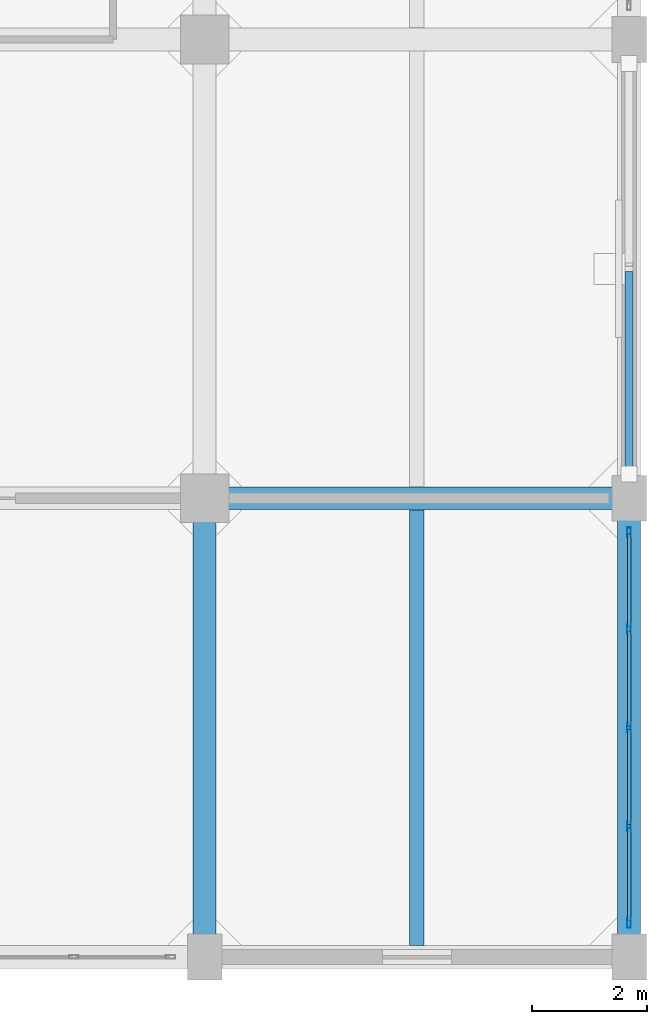
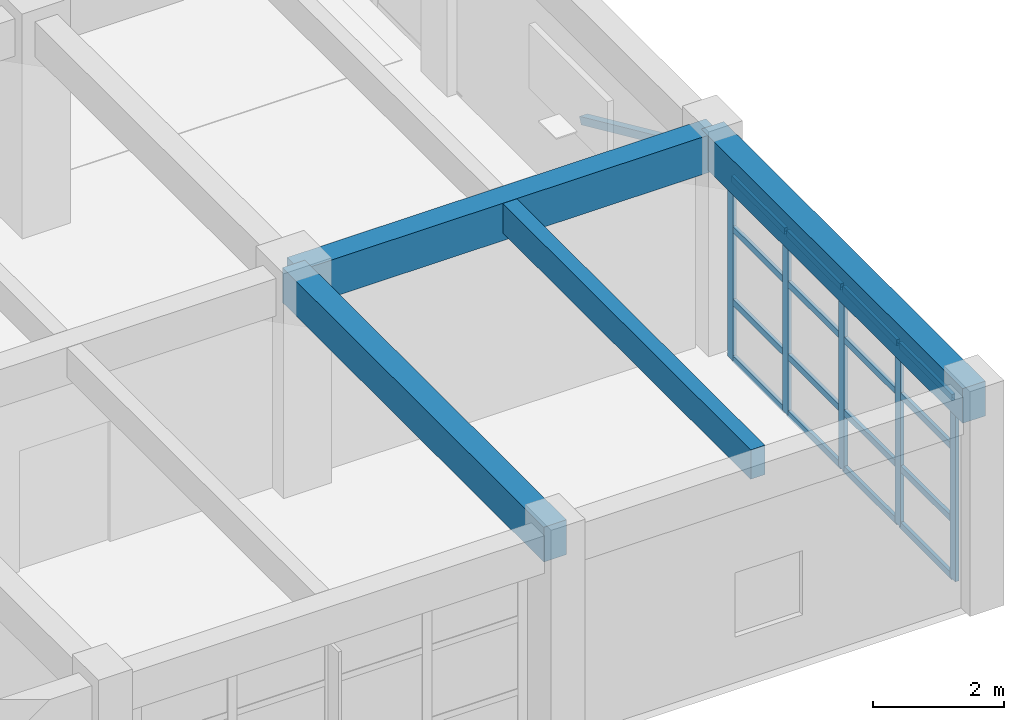
# One storey, part 9 of 27: 22 members, 4 beams, 1 element without a shape of its own.
"""IFC4 building model written with IfcOpenShell, lengths in metres."""

from ifc_helpers import new_model, si_unit, direction, frame, origin, origin_2d, place, context, subcontext, project, spatial, rectangle, hollow_rectangle, extrude, material, layer, layer_set, material_profile, profile_set, type_object, element, aggregate, save


model = new_model("IFC4")

# Units and contexts
model_context = context("Model", 3, precision=1e-05, world=origin(), true_north=direction((0.0, 1.0)))
body_context = subcontext(model_context, "Body", "Model", "MODEL_VIEW")
ifc_project = project(units=[si_unit("LENGTHUNIT", "METRE"), si_unit("AREAUNIT", "SQUARE_METRE"), si_unit("VOLUMEUNIT", "CUBIC_METRE"), si_unit("PLANEANGLEUNIT", "RADIAN"), si_unit("MASSUNIT", "GRAM", prefix="KILO")], contexts=[model_context])

# Site, building, storey
site_placement = place(None, origin())
site = spatial("IfcSite", under=ifc_project, at=site_placement, CompositionType="ELEMENT")
building_placement = place(site_placement, origin())
building = spatial("IfcBuilding", under=site, at=building_placement, Name="Canggui Botanical Conservatory", CompositionType="ELEMENT")
storey_placement = place(building_placement, frame((0.0, 0.0, 31.800048828125)))
storey = spatial("IfcBuildingStorey", under=building, at=storey_placement, Name="L08", CompositionType="ELEMENT", Elevation=31.800048828125)

# Beams
ifc_material_1 = material(Name="Concrete C35", Category="concrete")
ifc_material_profile_1 = material_profile(ifc_material_1, rectangle(XDim=0.25, YDim=0.550048828125, at=origin_2d()), Name="RB 250x550")
ifc_profile_set_1 = profile_set([ifc_material_profile_1], Name="Concrete C35")
beam_type_1 = type_object("IfcBeamType", Name="BM-JST03", PredefinedType="JOIST", material=ifc_profile_set_1)
beam_1_placement = place(storey_placement, frame((173.699951171875, 34.205078125, 3.704833984375), z_axis=(0.0, 1.0, 0.0), x_axis=(-1.0, 0.0, 0.0)))
element("IfcBeam", 1, at=beam_1_placement, inside=storey, type_object=beam_type_1, Name="Secondary Floor Joist L08-5-1", PredefinedType="JOIST", context=body_context, shape_type="SweptSolid", body=[
    extrude(rectangle(XDim=0.25, YDim=0.550048828125, at=origin_2d()), origin(), (0.0, 0.0, 1.0), 7.58984375),
])
ifc_material_profile_2 = material_profile(ifc_material_1, rectangle(XDim=0.39990234375, YDim=0.699951171875, at=origin_2d()), Name="RB 400x700")
ifc_profile_set_2 = profile_set([ifc_material_profile_2], Name="Concrete C35")
beam_type_2 = type_object("IfcBeamType", Name="BM-KL11", PredefinedType="BEAM", material=ifc_profile_set_2)
beam_2_placement = place(storey_placement, frame((170.0, 42.0, 3.6298828125), z_axis=(1.0, 0.0, 0.0), x_axis=(0.0, 1.0, 0.0)))
element("IfcBeam", 2, at=beam_2_placement, inside=storey, type_object=beam_type_2, Name="Frame Girder L08 Y42-5", PredefinedType="BEAM", context=body_context, shape_type="SweptSolid", body=[
    extrude(rectangle(XDim=0.39990234375, YDim=0.699951171875, at=origin_2d()), origin(), (0.0, 0.0, 1.0), 7.39990234375),
])
ifc_material_profile_3 = material_profile(ifc_material_1, rectangle(XDim=0.39990234375, YDim=0.64990234375, at=origin_2d()), Name="RB 400x650")
ifc_profile_set_3 = profile_set([ifc_material_profile_3], Name="Concrete C35")
beam_type_3 = type_object("IfcBeamType", Name="BM-KL12", PredefinedType="BEAM", material=ifc_profile_set_3)
for number, where, z_axis, x_axis, name in (
    (3, (170.0, 34.0, 3.655029296875), (0.0, 1.0, 0.0), (-1.0, 0.0, 0.0), "Frame Girder L08 X170-1"),
    (4, (177.39990234375, 34.0, 3.655029296875), (0.0, 1.0, 0.0), (-1.0, 0.0, 0.0), "Frame Girder L08 X178-1"),
):
    element("IfcBeam", number, at=place(storey_placement, frame(where, z_axis=z_axis, x_axis=x_axis)), inside=storey, type_object=beam_type_3, Name=name, PredefinedType="BEAM", context=body_context, shape_type="SweptSolid", body=[
        extrude(rectangle(XDim=0.39990234375, YDim=0.64990234375, at=origin_2d()), origin(), (0.0, 0.0, 1.0), 8.0),
    ])

# Curtain wall, members
ifc_material_2 = material(Name="Thermally Broken Aluminium", Category="aluminium")
ifc_layer = layer(ifc_material_2, 0.1650390625, Name="Thermally Broken Aluminium", Category="aluminium")
ifc_layer_set = layer_set([ifc_layer], Name="Thermally Broken Aluminium")
curtain_wall_type = type_object("IfcCurtainWallType", Name="CW-UNIT-B", PredefinedType="USERDEFINED", material=ifc_layer_set)
curtain_wall_placement = place(storey_placement, origin())
curtain_wall = element("IfcCurtainWall", 5, at=curtain_wall_placement, inside=storey, type_object=curtain_wall_type, Name="Facade Curtain Wall CW-TWR-L08-20", ObjectType="UNITISED CURTAIN WALL", PredefinedType="USERDEFINED")
ifc_material_profile_4 = material_profile(ifc_material_2, hollow_rectangle(XDim=0.06494140625, YDim=0.1650390625, WallThickness=0.00390625, at=origin_2d()), Name="CWM 65x165x4")
ifc_profile_set_4 = profile_set([ifc_material_profile_4], Name="Thermally Broken Aluminium")
member_type_1 = type_object("IfcMemberType", Name="CWM-02", PredefinedType="MULLION", material=ifc_profile_set_4)
member_1_placement = place(storey_placement, frame((177.39990234375, 41.407470703125, 0.0), z_axis=(0.0, 0.0, 1.0), x_axis=(1.0, 0.0, 0.0)))
member_1 = element("IfcMember", 6, at=member_1_placement, type_object=member_type_1, Name="CW-02 mullion 1", PredefinedType="MULLION", context=body_context, shape_type="SweptSolid", body=[
    extrude(hollow_rectangle(XDim=0.06494140625, YDim=0.1650390625, WallThickness=0.00390625, at=origin_2d()), origin(), (0.0, 0.0, 1.0), 3.39990234375),
])
member_2_placement = place(storey_placement, frame((177.39990234375, 39.719970703125, 0.0), z_axis=(0.0, 0.0, 1.0), x_axis=(1.0, 0.0, 0.0)))
member_2 = element("IfcMember", 7, at=member_2_placement, type_object=member_type_1, Name="CW-02 mullion 2", PredefinedType="MULLION", context=body_context, shape_type="SweptSolid", body=[
    extrude(hollow_rectangle(XDim=0.06494140625, YDim=0.1650390625, WallThickness=0.00390625, at=origin_2d()), origin(), (0.0, 0.0, 1.0), 3.39990234375),
])
member_3_placement = place(storey_placement, frame((177.39990234375, 38.0, 0.0), z_axis=(0.0, 0.0, 1.0), x_axis=(1.0, 0.0, 0.0)))
member_3 = element("IfcMember", 8, at=member_3_placement, type_object=member_type_1, Name="CW-02 mullion 3", PredefinedType="MULLION", context=body_context, shape_type="SweptSolid", body=[
    extrude(hollow_rectangle(XDim=0.06494140625, YDim=0.1650390625, WallThickness=0.00390625, at=origin_2d()), origin(), (0.0, 0.0, 1.0), 3.39990234375),
])
member_4_placement = place(storey_placement, frame((177.39990234375, 36.280029296875, 0.0), z_axis=(0.0, 0.0, 1.0), x_axis=(1.0, 0.0, 0.0)))
member_4 = element("IfcMember", 9, at=member_4_placement, type_object=member_type_1, Name="CW-02 mullion 4", PredefinedType="MULLION", context=body_context, shape_type="SweptSolid", body=[
    extrude(hollow_rectangle(XDim=0.06494140625, YDim=0.1650390625, WallThickness=0.00390625, at=origin_2d()), origin(), (0.0, 0.0, 1.0), 3.39990234375),
])
member_5_placement = place(storey_placement, frame((177.39990234375, 34.592529296875, 0.0), z_axis=(0.0, 0.0, 1.0), x_axis=(1.0, 0.0, 0.0)))
member_5 = element("IfcMember", 10, at=member_5_placement, type_object=member_type_1, Name="CW-02 mullion 5", PredefinedType="MULLION", context=body_context, shape_type="SweptSolid", body=[
    extrude(hollow_rectangle(XDim=0.06494140625, YDim=0.1650390625, WallThickness=0.00390625, at=origin_2d()), origin(), (0.0, 0.0, 1.0), 3.39990234375),
])
ifc_material_profile_5 = material_profile(ifc_material_2, hollow_rectangle(XDim=0.06005859375, YDim=0.1201171875, WallThickness=0.00341796875, at=origin_2d()), Name="CWT 60x120x3.5")
ifc_profile_set_5 = profile_set([ifc_material_profile_5], Name="Thermally Broken Aluminium")
member_type_2 = type_object("IfcMemberType", Name="CWT-02", PredefinedType="USERDEFINED", material=ifc_profile_set_5)
member_6_placement = place(storey_placement, frame((177.39990234375, 41.375, 0.030029296875), z_axis=(0.0, -1.0, 0.0), x_axis=(1.0, 0.0, 0.0)))
member_6 = element("IfcMember", 11, at=member_6_placement, type_object=member_type_2, Name="CW-02 transom 1.1", ObjectType="TRANSOM", PredefinedType="USERDEFINED", context=body_context, shape_type="SweptSolid", body=[
    extrude(hollow_rectangle(XDim=0.06005859375, YDim=0.1201171875, WallThickness=0.00341796875, at=origin_2d()), origin(), (0.0, 0.0, 1.0), 1.62255859375),
])
member_7_placement = place(storey_placement, frame((177.39990234375, 41.375, 1.087890625), z_axis=(0.0, -1.0, 0.0), x_axis=(1.0, 0.0, 0.0)))
member_7 = element("IfcMember", 12, at=member_7_placement, type_object=member_type_2, Name="CW-02 transom 1.2", ObjectType="TRANSOM", PredefinedType="USERDEFINED", context=body_context, shape_type="SweptSolid", body=[
    extrude(hollow_rectangle(XDim=0.06005859375, YDim=0.1201171875, WallThickness=0.00341796875, at=origin_2d()), origin(), (0.0, 0.0, 1.0), 1.62255859375),
])
member_8_placement = place(storey_placement, frame((177.39990234375, 41.375, 2.447998046875), z_axis=(0.0, -1.0, 0.0), x_axis=(1.0, 0.0, 0.0)))
member_8 = element("IfcMember", 13, at=member_8_placement, type_object=member_type_2, Name="CW-02 transom 1.3", ObjectType="TRANSOM", PredefinedType="USERDEFINED", context=body_context, shape_type="SweptSolid", body=[
    extrude(hollow_rectangle(XDim=0.06005859375, YDim=0.1201171875, WallThickness=0.00341796875, at=origin_2d()), origin(), (0.0, 0.0, 1.0), 1.62255859375),
])
member_9_placement = place(storey_placement, frame((177.39990234375, 41.375, 3.369873046875), z_axis=(0.0, -1.0, 0.0), x_axis=(1.0, 0.0, 0.0)))
member_9 = element("IfcMember", 14, at=member_9_placement, type_object=member_type_2, Name="CW-02 transom 1.4", ObjectType="TRANSOM", PredefinedType="USERDEFINED", context=body_context, shape_type="SweptSolid", body=[
    extrude(hollow_rectangle(XDim=0.06005859375, YDim=0.1201171875, WallThickness=0.00341796875, at=origin_2d()), origin(), (0.0, 0.0, 1.0), 1.62255859375),
])
member_10_placement = place(storey_placement, frame((177.39990234375, 39.6875, 0.030029296875), z_axis=(0.0, -1.0, 0.0), x_axis=(1.0, 0.0, 0.0)))
member_10 = element("IfcMember", 15, at=member_10_placement, type_object=member_type_2, Name="CW-02 transom 2.1", ObjectType="TRANSOM", PredefinedType="USERDEFINED", context=body_context, shape_type="SweptSolid", body=[
    extrude(hollow_rectangle(XDim=0.06005859375, YDim=0.1201171875, WallThickness=0.00341796875, at=origin_2d()), origin(), (0.0, 0.0, 1.0), 1.655029296875),
])
member_11_placement = place(storey_placement, frame((177.39990234375, 39.6875, 1.087890625), z_axis=(0.0, -1.0, 0.0), x_axis=(1.0, 0.0, 0.0)))
member_11 = element("IfcMember", 16, at=member_11_placement, type_object=member_type_2, Name="CW-02 transom 2.2", ObjectType="TRANSOM", PredefinedType="USERDEFINED", context=body_context, shape_type="SweptSolid", body=[
    extrude(hollow_rectangle(XDim=0.06005859375, YDim=0.1201171875, WallThickness=0.00341796875, at=origin_2d()), origin(), (0.0, 0.0, 1.0), 1.655029296875),
])
member_12_placement = place(storey_placement, frame((177.39990234375, 39.6875, 2.447998046875), z_axis=(0.0, -1.0, 0.0), x_axis=(1.0, 0.0, 0.0)))
member_12 = element("IfcMember", 17, at=member_12_placement, type_object=member_type_2, Name="CW-02 transom 2.3", ObjectType="TRANSOM", PredefinedType="USERDEFINED", context=body_context, shape_type="SweptSolid", body=[
    extrude(hollow_rectangle(XDim=0.06005859375, YDim=0.1201171875, WallThickness=0.00341796875, at=origin_2d()), origin(), (0.0, 0.0, 1.0), 1.655029296875),
])
member_13_placement = place(storey_placement, frame((177.39990234375, 39.6875, 3.369873046875), z_axis=(0.0, -1.0, 0.0), x_axis=(1.0, 0.0, 0.0)))
member_13 = element("IfcMember", 18, at=member_13_placement, type_object=member_type_2, Name="CW-02 transom 2.4", ObjectType="TRANSOM", PredefinedType="USERDEFINED", context=body_context, shape_type="SweptSolid", body=[
    extrude(hollow_rectangle(XDim=0.06005859375, YDim=0.1201171875, WallThickness=0.00341796875, at=origin_2d()), origin(), (0.0, 0.0, 1.0), 1.655029296875),
])
member_14_placement = place(storey_placement, frame((177.39990234375, 37.967529296875, 0.030029296875), z_axis=(0.0, -1.0, 0.0), x_axis=(1.0, 0.0, 0.0)))
member_14 = element("IfcMember", 19, at=member_14_placement, type_object=member_type_2, Name="CW-02 transom 3.1", ObjectType="TRANSOM", PredefinedType="USERDEFINED", context=body_context, shape_type="SweptSolid", body=[
    extrude(hollow_rectangle(XDim=0.06005859375, YDim=0.1201171875, WallThickness=0.00341796875, at=origin_2d()), origin(), (0.0, 0.0, 1.0), 1.655029296875),
])
member_15_placement = place(storey_placement, frame((177.39990234375, 37.967529296875, 1.087890625), z_axis=(0.0, -1.0, 0.0), x_axis=(1.0, 0.0, 0.0)))
member_15 = element("IfcMember", 20, at=member_15_placement, type_object=member_type_2, Name="CW-02 transom 3.2", ObjectType="TRANSOM", PredefinedType="USERDEFINED", context=body_context, shape_type="SweptSolid", body=[
    extrude(hollow_rectangle(XDim=0.06005859375, YDim=0.1201171875, WallThickness=0.00341796875, at=origin_2d()), origin(), (0.0, 0.0, 1.0), 1.655029296875),
])
member_16_placement = place(storey_placement, frame((177.39990234375, 37.967529296875, 2.447998046875), z_axis=(0.0, -1.0, 0.0), x_axis=(1.0, 0.0, 0.0)))
member_16 = element("IfcMember", 21, at=member_16_placement, type_object=member_type_2, Name="CW-02 transom 3.3", ObjectType="TRANSOM", PredefinedType="USERDEFINED", context=body_context, shape_type="SweptSolid", body=[
    extrude(hollow_rectangle(XDim=0.06005859375, YDim=0.1201171875, WallThickness=0.00341796875, at=origin_2d()), origin(), (0.0, 0.0, 1.0), 1.655029296875),
])
member_17_placement = place(storey_placement, frame((177.39990234375, 37.967529296875, 3.369873046875), z_axis=(0.0, -1.0, 0.0), x_axis=(1.0, 0.0, 0.0)))
member_17 = element("IfcMember", 22, at=member_17_placement, type_object=member_type_2, Name="CW-02 transom 3.4", ObjectType="TRANSOM", PredefinedType="USERDEFINED", context=body_context, shape_type="SweptSolid", body=[
    extrude(hollow_rectangle(XDim=0.06005859375, YDim=0.1201171875, WallThickness=0.00341796875, at=origin_2d()), origin(), (0.0, 0.0, 1.0), 1.655029296875),
])
member_18_placement = place(storey_placement, frame((177.39990234375, 36.24755859375, 0.030029296875), z_axis=(0.0, -1.0, 0.0), x_axis=(1.0, 0.0, 0.0)))
member_18 = element("IfcMember", 23, at=member_18_placement, type_object=member_type_2, Name="CW-02 transom 4.1", ObjectType="TRANSOM", PredefinedType="USERDEFINED", context=body_context, shape_type="SweptSolid", body=[
    extrude(hollow_rectangle(XDim=0.06005859375, YDim=0.1201171875, WallThickness=0.00341796875, at=origin_2d()), origin(), (0.0, 0.0, 1.0), 1.62255859375),
])
member_19_placement = place(storey_placement, frame((177.39990234375, 36.24755859375, 1.087890625), z_axis=(0.0, -1.0, 0.0), x_axis=(1.0, 0.0, 0.0)))
member_19 = element("IfcMember", 24, at=member_19_placement, type_object=member_type_2, Name="CW-02 transom 4.2", ObjectType="TRANSOM", PredefinedType="USERDEFINED", context=body_context, shape_type="SweptSolid", body=[
    extrude(hollow_rectangle(XDim=0.06005859375, YDim=0.1201171875, WallThickness=0.00341796875, at=origin_2d()), origin(), (0.0, 0.0, 1.0), 1.62255859375),
])
member_20_placement = place(storey_placement, frame((177.39990234375, 36.24755859375, 2.447998046875), z_axis=(0.0, -1.0, 0.0), x_axis=(1.0, 0.0, 0.0)))
member_20 = element("IfcMember", 25, at=member_20_placement, type_object=member_type_2, Name="CW-02 transom 4.3", ObjectType="TRANSOM", PredefinedType="USERDEFINED", context=body_context, shape_type="SweptSolid", body=[
    extrude(hollow_rectangle(XDim=0.06005859375, YDim=0.1201171875, WallThickness=0.00341796875, at=origin_2d()), origin(), (0.0, 0.0, 1.0), 1.62255859375),
])
member_21_placement = place(storey_placement, frame((177.39990234375, 36.24755859375, 3.369873046875), z_axis=(0.0, -1.0, 0.0), x_axis=(1.0, 0.0, 0.0)))
member_21 = element("IfcMember", 26, at=member_21_placement, type_object=member_type_2, Name="CW-02 transom 4.4", ObjectType="TRANSOM", PredefinedType="USERDEFINED", context=body_context, shape_type="SweptSolid", body=[
    extrude(hollow_rectangle(XDim=0.06005859375, YDim=0.1201171875, WallThickness=0.00341796875, at=origin_2d()), origin(), (0.0, 0.0, 1.0), 1.62255859375),
])
aggregate(curtain_wall, [member_1, member_2, member_3, member_4, member_5, member_6, member_7, member_8, member_9, member_10, member_11, member_12, member_13, member_14, member_15, member_16, member_17, member_18, member_19, member_20, member_21])

# Member
ifc_material_3 = material(Name="Steel Q355B", Category="steel")
ifc_material_profile_6 = material_profile(ifc_material_3, hollow_rectangle(XDim=0.139892578125, YDim=0.139892578125, WallThickness=0.006103515625, at=origin_2d()), Name="SHS 140x140x6")
ifc_profile_set_6 = profile_set([ifc_material_profile_6], Name="Steel Q355B")
member_type_3 = type_object("IfcMemberType", Name="MEM-ZC05", PredefinedType="BRACE", material=ifc_profile_set_6)
member_22_placement = place(storey_placement, frame((177.39990234375, 45.92724609375, 1.7080078125), z_axis=(0.0, -0.910581254091, 0.413330109838), x_axis=(1.0, 0.0, 0.0)))
element("IfcMember", 27, at=member_22_placement, inside=storey, type_object=member_type_3, Name="Seismic Concentric X-Brace Upper Split Diagonal L08-B2", PredefinedType="BRACE", context=body_context, shape_type="SweptSolid", body=[
    extrude(hollow_rectangle(XDim=0.139892578125, YDim=0.139892578125, WallThickness=0.006103515625, at=origin_2d()), origin(), (0.0, 0.0, 1.0), 3.851806640625),
])

save(model, "model.ifc")
